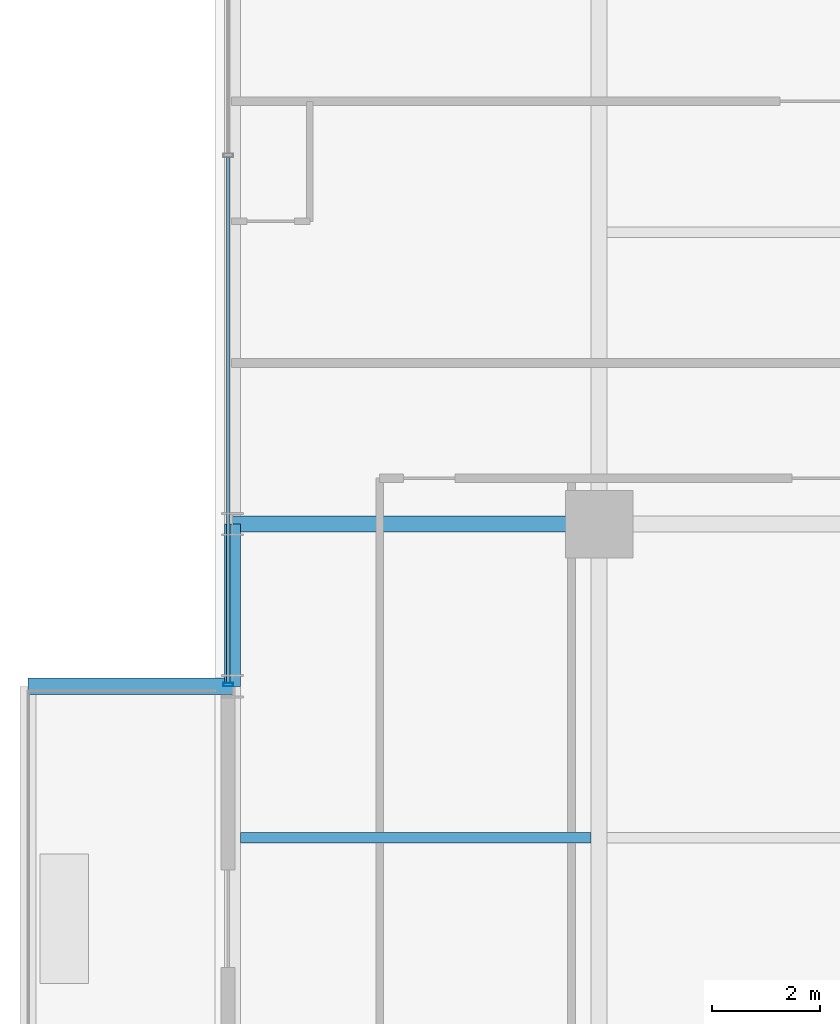
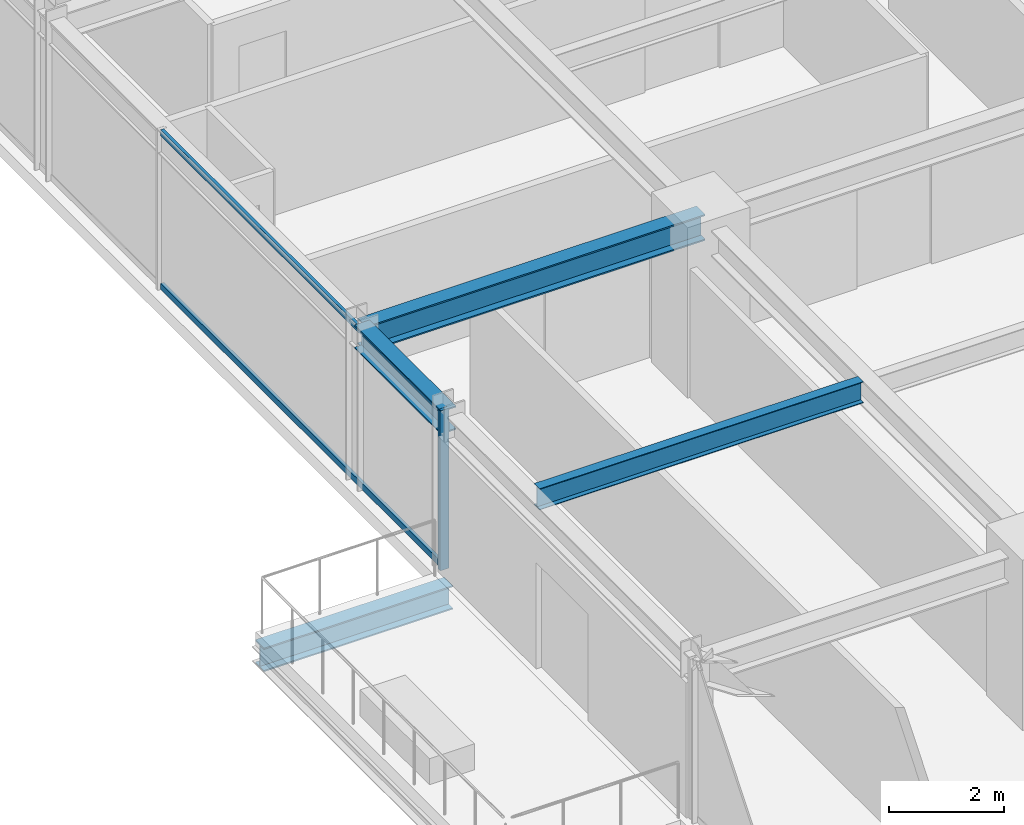
# One storey, part 7 of 32: 4 beams, 3 members, 1 element without a shape of its own.
"""IFC4 building model written with IfcOpenShell, lengths in metres."""

from ifc_helpers import new_model, si_unit, direction, frame, origin, origin_2d, place, context, subcontext, project, spatial, hollow_rectangle, i_section, extrude, source, transform, mapped, material, material_profile, profile_set, type_object, element, aggregate, save


model = new_model("IFC4")

# Units and contexts
model_context = context("Model", 3, precision=1e-05, world=origin(), true_north=direction((0.0, 1.0)))
body_context = subcontext(model_context, "Body", "Model", "MODEL_VIEW")
ifc_project = project(units=[si_unit("LENGTHUNIT", "METRE"), si_unit("AREAUNIT", "SQUARE_METRE"), si_unit("VOLUMEUNIT", "CUBIC_METRE"), si_unit("PLANEANGLEUNIT", "RADIAN"), si_unit("MASSUNIT", "GRAM", prefix="KILO")], contexts=[model_context])

# Site, building, storey
site_placement = place(None, origin())
site = spatial("IfcSite", under=ifc_project, at=site_placement, CompositionType="ELEMENT")
building_placement = place(site_placement, origin())
building = spatial("IfcBuilding", under=site, at=building_placement, Name="Nahalor Promenade Grand Hotel", CompositionType="ELEMENT")
storey_placement = place(building_placement, frame((0.0, 0.0, 110.199951171875)))
storey = spatial("IfcBuildingStorey", under=building, at=storey_placement, Name="L27", CompositionType="ELEMENT", Elevation=110.199951171875)

# Beams
ifc_material_1 = material(Name="Steel S355JR", Category="steel")
ifc_material_profile_1 = material_profile(ifc_material_1, i_section(OverallWidth=0.3, OverallDepth=0.5, WebThickness=0.0145, FlangeThickness=0.028, at=origin_2d()), Name="HEB 500")
ifc_profile_set_1 = profile_set([ifc_material_profile_1], Name="Steel S355JR")
beam_type_1 = type_object("IfcBeamType", Name="Beam-Outrigger-HEB500", PredefinedType="BEAM", material=ifc_profile_set_1)
shared_shape_1 = source(origin(), body_context, "Body", "SweptSolid", [
    extrude(i_section(OverallWidth=0.3, OverallDepth=0.5, WebThickness=0.0145, FlangeThickness=0.028, at=origin_2d()), origin(), (0.0, 0.0, 1.0), 3.780029296875),
])
beam_1_placement = place(storey_placement, frame((-27.56005859375, -8.39990234375, -0.530029296875), z_axis=(1.0, 0.0, 0.0), x_axis=(0.0, 1.0, 0.0)))
element("IfcBeam", 1, at=beam_1_placement, inside=storey, type_object=beam_type_1, Name="BM-L27-BC-02-2", PredefinedType="BEAM", context=body_context, shape_type="MappedRepresentation", body=[
    mapped(shared_shape_1, transform((0.0, 0.0, 0.0), scale=1.0)),
])
ifc_material_profile_2 = material_profile(ifc_material_1, i_section(OverallWidth=0.3, OverallDepth=0.5, WebThickness=0.0145, FlangeThickness=0.028, at=origin_2d()), Name="HEB 500")
ifc_profile_set_2 = profile_set([ifc_material_profile_2], Name="Steel S355JR")
beam_type_2 = type_object("IfcBeamType", Name="Beam-Spandrel-HEB500", PredefinedType="SPANDREL", material=ifc_profile_set_2)
shared_shape_2 = source(origin(), body_context, "Body", "SweptSolid", [
    extrude(i_section(OverallWidth=0.3, OverallDepth=0.5, WebThickness=0.0145, FlangeThickness=0.028, at=origin_2d()), origin(), (0.0, 0.0, 1.0), 3.0),
])
beam_2_placement = place(storey_placement, frame((-23.780029296875, -8.39990234375, 3.130126953125), z_axis=(0.0, 1.0, 0.0), x_axis=(-1.0, 0.0, 0.0)))
element("IfcBeam", 2, at=beam_2_placement, inside=storey, type_object=beam_type_2, Name="BM-L27-SP-W-1", PredefinedType="SPANDREL", context=body_context, shape_type="MappedRepresentation", body=[
    mapped(shared_shape_2, transform((0.0, 0.0, 0.0), scale=1.0)),
])
ifc_material_profile_3 = material_profile(ifc_material_1, i_section(OverallWidth=0.3, OverallDepth=0.55, WebThickness=0.015, FlangeThickness=0.029, at=origin_2d()), Name="HEB 550")
ifc_profile_set_3 = profile_set([ifc_material_profile_3], Name="Steel S355JR")
beam_type_3 = type_object("IfcBeamType", Name="Beam-Girder-HEB550", PredefinedType="BEAM", material=ifc_profile_set_3)
shared_shape_3 = source(origin(), body_context, "Body", "SweptSolid", [
    extrude(i_section(OverallWidth=0.3, OverallDepth=0.55, WebThickness=0.015, FlangeThickness=0.029, at=origin_2d()), origin(), (0.0, 0.0, 1.0), 6.780029296875),
])
beam_3_placement = place(storey_placement, frame((-23.780029296875, -5.39990234375, 3.10498046875), z_axis=(1.0, 0.0, 0.0), x_axis=(0.0, 1.0, 0.0)))
element("IfcBeam", 3, at=beam_3_placement, inside=storey, type_object=beam_type_3, Name="BM-L27-GX-1-0", PredefinedType="BEAM", context=body_context, shape_type="MappedRepresentation", body=[
    mapped(shared_shape_3, transform((0.0, 0.0, 0.0), scale=1.0)),
])
ifc_material_profile_4 = material_profile(ifc_material_1, i_section(OverallWidth=0.19, OverallDepth=0.45, WebThickness=0.0094, FlangeThickness=0.0146, at=origin_2d()), Name="IPE 450")
ifc_profile_set_4 = profile_set([ifc_material_profile_4], Name="Steel S355JR")
beam_type_4 = type_object("IfcBeamType", Name="Beam-Joist-IPE450", PredefinedType="JOIST", material=ifc_profile_set_4)
shared_shape_4 = source(origin(), body_context, "Body", "SweptSolid", [
    extrude(i_section(OverallWidth=0.19, OverallDepth=0.45, WebThickness=0.0094, FlangeThickness=0.0146, at=origin_2d()), origin(), (0.0, 0.0, 1.0), 6.47998046875),
])
beam_4_placement = place(storey_placement, frame((-23.6298828125, -11.199951171875, 3.155029296875), z_axis=(1.0, 0.0, 0.0), x_axis=(0.0, 1.0, 0.0)))
element("IfcBeam", 4, at=beam_4_placement, inside=storey, type_object=beam_type_4, Name="BM-L27-JSW-0-0", PredefinedType="JOIST", context=body_context, shape_type="MappedRepresentation", body=[
    mapped(shared_shape_4, transform((0.0, 0.0, 0.0), scale=1.0)),
])

# Curtain wall, members
ifc_material_2 = material(Name="Anodised Bronze Aluminium EN AW-6063 T6", Category="aluminium")
curtain_wall_type = type_object("IfcCurtainWallType", Name="CW2 Typical Hotel Flush Bronze Unitised Curtain Wall", PredefinedType="USERDEFINED", material=ifc_material_2)
curtain_wall_placement = place(storey_placement, origin())
curtain_wall = element("IfcCurtainWall", 5, at=curtain_wall_placement, inside=storey, type_object=curtain_wall_type, Name="L27 Curtain Wall CW-L27-W-3", ObjectType="UNITISED_CURTAIN_WALL", PredefinedType="USERDEFINED")
ifc_material_profile_5 = material_profile(ifc_material_2, hollow_rectangle(XDim=0.065, YDim=0.13, WallThickness=0.004, at=origin_2d()), Name="CWT 65x130x4")
ifc_profile_set_5 = profile_set([ifc_material_profile_5], Name="Anodised Bronze Aluminium EN AW-6063 T6")
member_type_1 = type_object("IfcMemberType", Name="CWT2 Typical Bronze Transom 65x130", PredefinedType="USERDEFINED", material=ifc_profile_set_5)
shared_shape_5 = source(origin(), body_context, "Body", "SweptSolid", [
    extrude(hollow_rectangle(XDim=0.065, YDim=0.13, WallThickness=0.004, at=origin_2d()), origin(), (0.0, 0.0, 1.0), 9.722412109375),
])
member_1_placement = place(storey_placement, frame((-23.860107421875, -8.3349609375, 0.06494140625), z_axis=(0.0, 1.0, 0.0), x_axis=(-1.0, 0.0, 0.0)))
member_1 = element("IfcMember", 6, at=member_1_placement, type_object=member_type_1, Name="CW-L27-W-3 Transom 0-0", ObjectType="TRANSOM", PredefinedType="USERDEFINED", context=body_context, shape_type="MappedRepresentation", body=[
    mapped(shared_shape_5, transform((0.0, 0.0, 0.0), scale=1.0)),
])
member_2_placement = place(storey_placement, frame((-23.860107421875, -8.3349609375, 3.31494140625), z_axis=(0.0, 1.0, 0.0), x_axis=(-1.0, 0.0, 0.0)))
member_2 = element("IfcMember", 7, at=member_2_placement, type_object=member_type_1, Name="CW-L27-W-3 Transom 0-1", ObjectType="TRANSOM", PredefinedType="USERDEFINED", context=body_context, shape_type="MappedRepresentation", body=[
    mapped(shared_shape_5, transform((0.0, 0.0, 0.0), scale=1.0)),
])
ifc_material_profile_6 = material_profile(ifc_material_2, hollow_rectangle(XDim=0.065, YDim=0.18, WallThickness=0.004, at=origin_2d()), Name="CWM 65x180x4")
ifc_profile_set_6 = profile_set([ifc_material_profile_6], Name="Anodised Bronze Aluminium EN AW-6063 T6")
member_type_2 = type_object("IfcMemberType", Name="CWM2 Typical Bronze Mullion 65x180", PredefinedType="MULLION", material=ifc_profile_set_6)
shared_shape_6 = source(origin(), body_context, "Body", "SweptSolid", [
    extrude(hollow_rectangle(XDim=0.065, YDim=0.18, WallThickness=0.004, at=origin_2d()), origin(), (0.0, 0.0, 1.0), 3.380126953125),
])
member_3_placement = place(storey_placement, frame((-23.860107421875, -8.367431640625, 0.0), z_axis=(0.0, 0.0, 1.0), x_axis=(0.0, 1.0, 0.0)))
member_3 = element("IfcMember", 8, at=member_3_placement, type_object=member_type_2, Name="CW-L27-W-3 Mullion 0", PredefinedType="MULLION", context=body_context, shape_type="MappedRepresentation", body=[
    mapped(shared_shape_6, transform((0.0, 0.0, 0.0), scale=1.0)),
])
aggregate(curtain_wall, [member_3, member_1, member_2])

save(model, "model.ifc")
